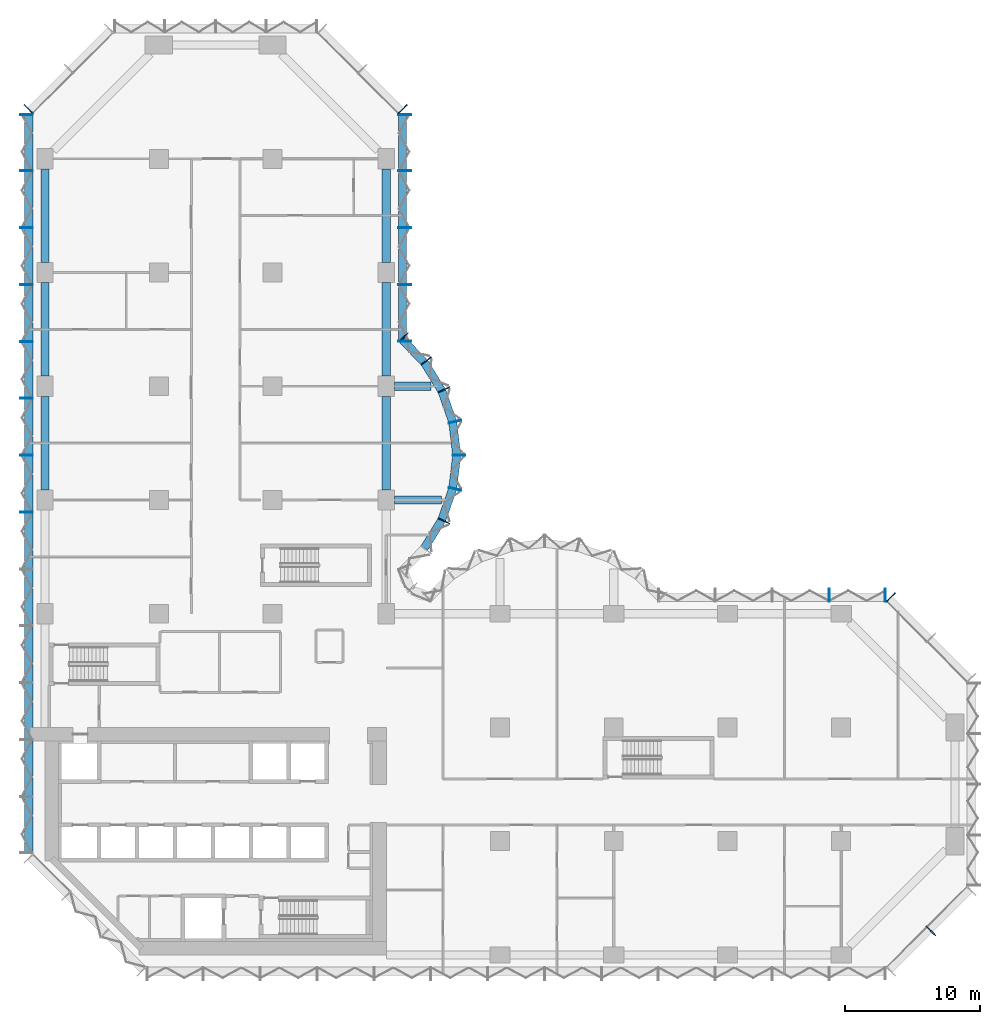
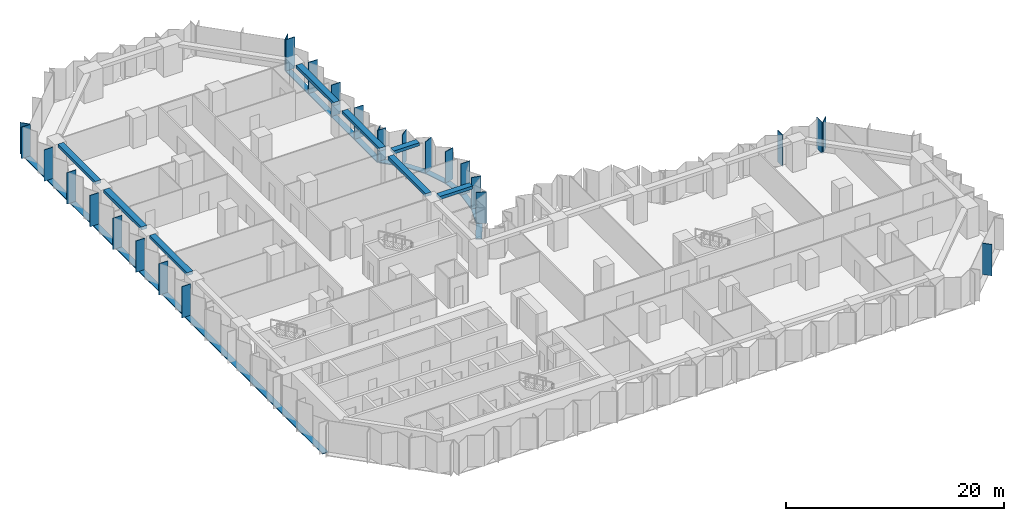
# One storey, part 3 of 15: 35 members, 8 beams, 8 elements without a shape of their own.
"""IFC4 building model written with IfcOpenShell, lengths in metres."""

from ifc_helpers import new_model, si_unit, direction, frame, origin, origin_2d, place, context, subcontext, project, spatial, rectangle, extrude, material, material_profile, profile_set, type_object, element, aggregate, save


model = new_model("IFC4")

# Units and contexts
model_context = context("Model", 3, precision=1e-05, world=origin(), true_north=direction((0.0, 1.0)))
body_context = subcontext(model_context, "Body", "Model", "MODEL_VIEW")
ifc_project = project(units=[si_unit("LENGTHUNIT", "METRE"), si_unit("AREAUNIT", "SQUARE_METRE"), si_unit("VOLUMEUNIT", "CUBIC_METRE"), si_unit("PLANEANGLEUNIT", "RADIAN"), si_unit("MASSUNIT", "GRAM", prefix="KILO")], contexts=[model_context])

# Site, building, storey
site_placement = place(None, origin())
site = spatial("IfcSite", under=ifc_project, at=site_placement, CompositionType="ELEMENT")
building_placement = place(site_placement, origin())
building = spatial("IfcBuilding", under=site, at=building_placement, Name="Brevane Broadcast Tower", CompositionType="ELEMENT")
storey_placement = place(building_placement, frame((0.0, 0.0, 50.89990234375)))
storey = spatial("IfcBuildingStorey", under=building, at=storey_placement, Name="L10", CompositionType="ELEMENT", Elevation=50.89990234375)

# Curtain wall, member
ifc_material_1 = material(Name="Aluminium 6063-T6 bronze anodised", Category="aluminium")
curtain_wall_type = type_object("IfcCurtainWallType", Name="CW-1 curtain wall", PredefinedType="NOTDEFINED", material=ifc_material_1)
curtain_wall_1_placement = place(storey_placement, origin())
curtain_wall_1 = element("IfcCurtainWall", 1, at=curtain_wall_1_placement, inside=storey, type_object=curtain_wall_type, Name="CW-1 typical tilted unit L10 south-east chamfer", PredefinedType="NOTDEFINED")
ifc_material_profile_1 = material_profile(ifc_material_1, rectangle(XDim=0.949951171875, YDim=0.070068359375, at=origin_2d()), Name="RECT 70x950")
ifc_profile_set_1 = profile_set([ifc_material_profile_1], Name="Aluminium 6063-T6 bronze anodised")
member_type_1 = type_object("IfcMemberType", Name="CW-1 mullion 70x950", PredefinedType="MULLION", material=ifc_profile_set_1)
member_1_placement = place(storey_placement, frame((65.435791015625, 1.76416015625, -0.14990234375), z_axis=(0.0, 0.0, 1.0), x_axis=(-0.707106781187, 0.707106781187, 0.0)))
member_1 = element("IfcMember", 2, at=member_1_placement, type_object=member_type_1, Name="CW-1 mullion", PredefinedType="MULLION", context=body_context, shape_type="SweptSolid", body=[
    extrude(rectangle(XDim=0.949951171875, YDim=0.070068359375, at=origin_2d()), origin(), (0.0, 0.0, 1.0), 3.5),
])
aggregate(curtain_wall_1, [member_1])

curtain_wall_2_placement = place(storey_placement, origin())
curtain_wall_2 = element("IfcCurtainWall", 3, at=curtain_wall_2_placement, inside=storey, type_object=curtain_wall_type, Name="CW-1 typical tilted unit L10 north-east chamfer", PredefinedType="NOTDEFINED")
member_2_placement = place(storey_placement, frame((62.460693359375, 26.4111328125, -0.14990234375), z_axis=(0.0, 0.0, 1.0), x_axis=(-0.707106781187, -0.707106781187, 0.0)))
member_2 = element("IfcMember", 4, at=member_2_placement, type_object=member_type_1, Name="CW-1 mullion", PredefinedType="MULLION", context=body_context, shape_type="SweptSolid", body=[
    extrude(rectangle(XDim=0.949951171875, YDim=0.070068359375, at=origin_2d()), origin(), (0.0, 0.0, 1.0), 3.5),
])
aggregate(curtain_wall_2, [member_2])

# Curtain wall, members
curtain_wall_3_placement = place(storey_placement, origin())
curtain_wall_3 = element("IfcCurtainWall", 5, at=curtain_wall_3_placement, inside=storey, type_object=curtain_wall_type, Name="CW-1 typical tilted unit L10 east arm north face", PredefinedType="NOTDEFINED")
member_3_placement = place(storey_placement, frame((62.06494140625, 26.574951171875, -0.14990234375), z_axis=(0.0, 0.0, 1.0), x_axis=(0.0, -1.0, 0.0)))
member_3 = element("IfcMember", 6, at=member_3_placement, type_object=member_type_1, Name="CW-1 mullion", PredefinedType="MULLION", context=body_context, shape_type="SweptSolid", body=[
    extrude(rectangle(XDim=0.949951171875, YDim=0.070068359375, at=origin_2d()), origin(), (0.0, 0.0, 1.0), 3.5),
])
member_4_placement = place(storey_placement, frame((57.89990234375, 26.574951171875, -0.14990234375), z_axis=(0.0, 0.0, 1.0), x_axis=(0.0, -1.0, 0.0)))
member_4 = element("IfcMember", 7, at=member_4_placement, type_object=member_type_1, Name="CW-1 mullion", PredefinedType="MULLION", context=body_context, shape_type="SweptSolid", body=[
    extrude(rectangle(XDim=0.949951171875, YDim=0.070068359375, at=origin_2d()), origin(), (0.0, 0.0, 1.0), 3.5),
])
aggregate(curtain_wall_3, [member_3, member_4])

curtain_wall_4_placement = place(storey_placement, origin())
curtain_wall_4 = element("IfcCurtainWall", 8, at=curtain_wall_4_placement, inside=storey, type_object=curtain_wall_type, Name="CW-1 typical tilted unit L10 north bow", PredefinedType="NOTDEFINED")
member_5_placement = place(storey_placement, frame((29.4580078125, 32.05322265625, -0.14990234375), z_axis=(0.0, 0.0, 1.0), x_axis=(-0.902860508933, 0.429933601163, 0.0)))
member_5 = element("IfcMember", 9, at=member_5_placement, type_object=member_type_1, Name="CW-1 mullion", PredefinedType="MULLION", context=body_context, shape_type="SweptSolid", body=[
    extrude(rectangle(XDim=0.949951171875, YDim=0.070068359375, at=origin_2d()), origin(), (0.0, 0.0, 1.0), 3.5),
])
member_6_placement = place(storey_placement, frame((30.28076171875, 34.411865234375, -0.14990234375), z_axis=(0.0, 0.0, 1.0), x_axis=(-0.974403430594, 0.224806482215, 0.0)))
member_6 = element("IfcMember", 10, at=member_6_placement, type_object=member_type_1, Name="CW-1 mullion", PredefinedType="MULLION", context=body_context, shape_type="SweptSolid", body=[
    extrude(rectangle(XDim=0.949951171875, YDim=0.070068359375, at=origin_2d()), origin(), (0.0, 0.0, 1.0), 3.5),
])
member_7_placement = place(storey_placement, frame((30.574951171875, 36.89990234375, -0.14990234375), z_axis=(0.0, 0.0, 1.0), x_axis=(-1.0, 0.0, 0.0)))
member_7 = element("IfcMember", 11, at=member_7_placement, type_object=member_type_1, Name="CW-1 mullion", PredefinedType="MULLION", context=body_context, shape_type="SweptSolid", body=[
    extrude(rectangle(XDim=0.949951171875, YDim=0.070068359375, at=origin_2d()), origin(), (0.0, 0.0, 1.0), 3.5),
])
member_8_placement = place(storey_placement, frame((30.28076171875, 39.38818359375, -0.14990234375), z_axis=(0.0, 0.0, 1.0), x_axis=(-0.974403430594, -0.224806482215, 0.0)))
member_8 = element("IfcMember", 12, at=member_8_placement, type_object=member_type_1, Name="CW-1 mullion", PredefinedType="MULLION", context=body_context, shape_type="SweptSolid", body=[
    extrude(rectangle(XDim=0.949951171875, YDim=0.070068359375, at=origin_2d()), origin(), (0.0, 0.0, 1.0), 3.5),
])
member_9_placement = place(storey_placement, frame((29.4580078125, 41.746826171875, -0.14990234375), z_axis=(0.0, 0.0, 1.0), x_axis=(-0.902860508933, -0.429933601163, 0.0)))
member_9 = element("IfcMember", 13, at=member_9_placement, type_object=member_type_1, Name="CW-1 mullion", PredefinedType="MULLION", context=body_context, shape_type="SweptSolid", body=[
    extrude(rectangle(XDim=0.949951171875, YDim=0.070068359375, at=origin_2d()), origin(), (0.0, 0.0, 1.0), 3.5),
])
member_10_placement = place(storey_placement, frame((28.1455078125, 43.8720703125, -0.14990234375), z_axis=(0.0, 0.0, 1.0), x_axis=(-0.788706642853, -0.614769738617, 0.0)))
member_10 = element("IfcMember", 14, at=member_10_placement, type_object=member_type_1, Name="CW-1 mullion", PredefinedType="MULLION", context=body_context, shape_type="SweptSolid", body=[
    extrude(rectangle(XDim=0.949951171875, YDim=0.070068359375, at=origin_2d()), origin(), (0.0, 0.0, 1.0), 3.5),
])
member_11_placement = place(storey_placement, frame((26.465087890625, 45.60595703125, -0.14990234375), z_axis=(0.0, 0.0, 1.0), x_axis=(-0.717253872699, -0.696811941702, 0.0)))
member_11 = element("IfcMember", 15, at=member_11_placement, type_object=member_type_1, Name="CW-1 mullion", PredefinedType="MULLION", context=body_context, shape_type="SweptSolid", body=[
    extrude(rectangle(XDim=0.949951171875, YDim=0.070068359375, at=origin_2d()), origin(), (0.0, 0.0, 1.0), 3.5),
])

curtain_wall_5_placement = place(storey_placement, origin())
curtain_wall_5 = element("IfcCurtainWall", 16, at=curtain_wall_5_placement, inside=storey, type_object=curtain_wall_type, Name="CW-1 typical tilted unit L10 north arm east face", PredefinedType="NOTDEFINED")
member_12_placement = place(storey_placement, frame((26.574951171875, 45.3349609375, -0.14990234375), z_axis=(0.0, 0.0, 1.0), x_axis=(-1.0, 0.0, 0.0)))
member_12 = element("IfcMember", 17, at=member_12_placement, type_object=member_type_1, Name="CW-1 mullion", PredefinedType="MULLION", context=body_context, shape_type="SweptSolid", body=[
    extrude(rectangle(XDim=0.949951171875, YDim=0.070068359375, at=origin_2d()), origin(), (0.0, 0.0, 1.0), 3.5),
])
member_13_placement = place(storey_placement, frame((26.574951171875, 49.5, -0.14990234375), z_axis=(0.0, 0.0, 1.0), x_axis=(-1.0, 0.0, 0.0)))
member_13 = element("IfcMember", 18, at=member_13_placement, type_object=member_type_1, Name="CW-1 mullion", PredefinedType="MULLION", context=body_context, shape_type="SweptSolid", body=[
    extrude(rectangle(XDim=0.949951171875, YDim=0.070068359375, at=origin_2d()), origin(), (0.0, 0.0, 1.0), 3.5),
])
member_14_placement = place(storey_placement, frame((26.574951171875, 53.699951171875, -0.14990234375), z_axis=(0.0, 0.0, 1.0), x_axis=(-1.0, 0.0, 0.0)))
member_14 = element("IfcMember", 19, at=member_14_placement, type_object=member_type_1, Name="CW-1 mullion", PredefinedType="MULLION", context=body_context, shape_type="SweptSolid", body=[
    extrude(rectangle(XDim=0.949951171875, YDim=0.070068359375, at=origin_2d()), origin(), (0.0, 0.0, 1.0), 3.5),
])
member_15_placement = place(storey_placement, frame((26.574951171875, 57.89990234375, -0.14990234375), z_axis=(0.0, 0.0, 1.0), x_axis=(-1.0, 0.0, 0.0)))
member_15 = element("IfcMember", 20, at=member_15_placement, type_object=member_type_1, Name="CW-1 mullion", PredefinedType="MULLION", context=body_context, shape_type="SweptSolid", body=[
    extrude(rectangle(XDim=0.949951171875, YDim=0.070068359375, at=origin_2d()), origin(), (0.0, 0.0, 1.0), 3.5),
])
member_16_placement = place(storey_placement, frame((26.574951171875, 62.06494140625, -0.14990234375), z_axis=(0.0, 0.0, 1.0), x_axis=(-1.0, 0.0, 0.0)))
member_16 = element("IfcMember", 21, at=member_16_placement, type_object=member_type_1, Name="CW-1 mullion", PredefinedType="MULLION", context=body_context, shape_type="SweptSolid", body=[
    extrude(rectangle(XDim=0.949951171875, YDim=0.070068359375, at=origin_2d()), origin(), (0.0, 0.0, 1.0), 3.5),
])

# Curtain wall, member
curtain_wall_6_placement = place(storey_placement, origin())
curtain_wall_6 = element("IfcCurtainWall", 22, at=curtain_wall_6_placement, inside=storey, type_object=curtain_wall_type, Name="CW-1 typical tilted unit L10 north arm north-east chamfer", PredefinedType="NOTDEFINED")
member_17_placement = place(storey_placement, frame((26.4111328125, 62.460693359375, -0.14990234375), z_axis=(0.0, 0.0, 1.0), x_axis=(-0.707106781187, -0.707106781187, 0.0)))
member_17 = element("IfcMember", 23, at=member_17_placement, type_object=member_type_1, Name="CW-1 mullion", PredefinedType="MULLION", context=body_context, shape_type="SweptSolid", body=[
    extrude(rectangle(XDim=0.949951171875, YDim=0.070068359375, at=origin_2d()), origin(), (0.0, 0.0, 1.0), 3.5),
])
aggregate(curtain_wall_6, [member_17])

curtain_wall_7_placement = place(storey_placement, origin())
curtain_wall_7 = element("IfcCurtainWall", 24, at=curtain_wall_7_placement, inside=storey, type_object=curtain_wall_type, Name="CW-1 typical tilted unit L10 north-west chamfer", PredefinedType="NOTDEFINED")
member_18_placement = place(storey_placement, frame((-1.211181640625, 62.460693359375, -0.14990234375), z_axis=(0.0, 0.0, 1.0), x_axis=(0.707106781187, -0.707106781187, 0.0)))
member_18 = element("IfcMember", 25, at=member_18_placement, type_object=member_type_1, Name="CW-1 mullion", PredefinedType="MULLION", context=body_context, shape_type="SweptSolid", body=[
    extrude(rectangle(XDim=0.949951171875, YDim=0.070068359375, at=origin_2d()), origin(), (0.0, 0.0, 1.0), 3.5),
])
aggregate(curtain_wall_7, [member_18])

# Curtain wall, members
curtain_wall_8_placement = place(storey_placement, origin())
curtain_wall_8 = element("IfcCurtainWall", 26, at=curtain_wall_8_placement, inside=storey, type_object=curtain_wall_type, Name="CW-1 typical tilted unit L10 west face", PredefinedType="NOTDEFINED")
member_19_placement = place(storey_placement, frame((-1.375, 62.06494140625, -0.14990234375), z_axis=(0.0, 0.0, 1.0), x_axis=(1.0, 0.0, 0.0)))
member_19 = element("IfcMember", 27, at=member_19_placement, type_object=member_type_1, Name="CW-1 mullion", PredefinedType="MULLION", context=body_context, shape_type="SweptSolid", body=[
    extrude(rectangle(XDim=0.949951171875, YDim=0.070068359375, at=origin_2d()), origin(), (0.0, 0.0, 1.0), 3.5),
])
member_20_placement = place(storey_placement, frame((-1.375, 57.89990234375, -0.14990234375), z_axis=(0.0, 0.0, 1.0), x_axis=(1.0, 0.0, 0.0)))
member_20 = element("IfcMember", 28, at=member_20_placement, type_object=member_type_1, Name="CW-1 mullion", PredefinedType="MULLION", context=body_context, shape_type="SweptSolid", body=[
    extrude(rectangle(XDim=0.949951171875, YDim=0.070068359375, at=origin_2d()), origin(), (0.0, 0.0, 1.0), 3.5),
])
member_21_placement = place(storey_placement, frame((-1.375, 53.699951171875, -0.14990234375), z_axis=(0.0, 0.0, 1.0), x_axis=(1.0, 0.0, 0.0)))
member_21 = element("IfcMember", 29, at=member_21_placement, type_object=member_type_1, Name="CW-1 mullion", PredefinedType="MULLION", context=body_context, shape_type="SweptSolid", body=[
    extrude(rectangle(XDim=0.949951171875, YDim=0.070068359375, at=origin_2d()), origin(), (0.0, 0.0, 1.0), 3.5),
])
member_22_placement = place(storey_placement, frame((-1.375, 49.5, -0.14990234375), z_axis=(0.0, 0.0, 1.0), x_axis=(1.0, 0.0, 0.0)))
member_22 = element("IfcMember", 30, at=member_22_placement, type_object=member_type_1, Name="CW-1 mullion", PredefinedType="MULLION", context=body_context, shape_type="SweptSolid", body=[
    extrude(rectangle(XDim=0.949951171875, YDim=0.070068359375, at=origin_2d()), origin(), (0.0, 0.0, 1.0), 3.5),
])
member_23_placement = place(storey_placement, frame((-1.375, 45.300048828125, -0.14990234375), z_axis=(0.0, 0.0, 1.0), x_axis=(1.0, 0.0, 0.0)))
member_23 = element("IfcMember", 31, at=member_23_placement, type_object=member_type_1, Name="CW-1 mullion", PredefinedType="MULLION", context=body_context, shape_type="SweptSolid", body=[
    extrude(rectangle(XDim=0.949951171875, YDim=0.070068359375, at=origin_2d()), origin(), (0.0, 0.0, 1.0), 3.5),
])
member_24_placement = place(storey_placement, frame((-1.375, 41.10009765625, -0.14990234375), z_axis=(0.0, 0.0, 1.0), x_axis=(1.0, 0.0, 0.0)))
member_24 = element("IfcMember", 32, at=member_24_placement, type_object=member_type_1, Name="CW-1 mullion", PredefinedType="MULLION", context=body_context, shape_type="SweptSolid", body=[
    extrude(rectangle(XDim=0.949951171875, YDim=0.070068359375, at=origin_2d()), origin(), (0.0, 0.0, 1.0), 3.5),
])
member_25_placement = place(storey_placement, frame((-1.375, 36.89990234375, -0.14990234375), z_axis=(0.0, 0.0, 1.0), x_axis=(1.0, 0.0, 0.0)))
member_25 = element("IfcMember", 33, at=member_25_placement, type_object=member_type_1, Name="CW-1 mullion", PredefinedType="MULLION", context=body_context, shape_type="SweptSolid", body=[
    extrude(rectangle(XDim=0.949951171875, YDim=0.070068359375, at=origin_2d()), origin(), (0.0, 0.0, 1.0), 3.5),
])
member_26_placement = place(storey_placement, frame((-1.375, 32.699951171875, -0.14990234375), z_axis=(0.0, 0.0, 1.0), x_axis=(1.0, 0.0, 0.0)))
member_26 = element("IfcMember", 34, at=member_26_placement, type_object=member_type_1, Name="CW-1 mullion", PredefinedType="MULLION", context=body_context, shape_type="SweptSolid", body=[
    extrude(rectangle(XDim=0.949951171875, YDim=0.070068359375, at=origin_2d()), origin(), (0.0, 0.0, 1.0), 3.5),
])

# Member
ifc_material_profile_2 = material_profile(ifc_material_1, rectangle(XDim=0.60009765625, YDim=0.10009765625, at=origin_2d()), Name="RECT 100x600")
ifc_profile_set_2 = profile_set([ifc_material_profile_2], Name="Aluminium 6063-T6 bronze anodised")
member_type_2 = type_object("IfcMemberType", Name="CW-1 transom 100x600", PredefinedType="USERDEFINED", material=ifc_profile_set_2)
member_27_placement = place(storey_placement, frame((28.023193359375, 30.0576171875, -0.199951171875), z_axis=(0.525427766759, 0.850838211365, 0.0), x_axis=(-0.850838211365, 0.525427766759, 0.0)))
member_27 = element("IfcMember", 35, at=member_27_placement, type_object=member_type_2, Name="CW-1 transom", ObjectType="TRANSOM", PredefinedType="USERDEFINED", context=body_context, shape_type="SweptSolid", body=[
    extrude(rectangle(XDim=0.60009765625, YDim=0.10009765625, at=origin_2d()), origin(), (0.0, 0.0, 1.0), 2.394775390625),
])

member_28_placement = place(storey_placement, frame((29.314208984375, 32.163818359375, -0.199951171875), z_axis=(0.329378497041, 0.944197969542, 0.0), x_axis=(-0.944197969542, 0.329378497041, 0.0)))
member_28 = element("IfcMember", 36, at=member_28_placement, type_object=member_type_2, Name="CW-1 transom", ObjectType="TRANSOM", PredefinedType="USERDEFINED", context=body_context, shape_type="SweptSolid", body=[
    extrude(rectangle(XDim=0.60009765625, YDim=0.10009765625, at=origin_2d()), origin(), (0.0, 0.0, 1.0), 2.394775390625),
])

member_29_placement = place(storey_placement, frame((30.117431640625, 34.499755859375, -0.199951171875), z_axis=(0.117603307202, 0.993060653805, 0.0), x_axis=(-0.993060653805, 0.117603307202, 0.0)))
member_29 = element("IfcMember", 37, at=member_29_placement, type_object=member_type_2, Name="CW-1 transom", ObjectType="TRANSOM", PredefinedType="USERDEFINED", context=body_context, shape_type="SweptSolid", body=[
    extrude(rectangle(XDim=0.60009765625, YDim=0.10009765625, at=origin_2d()), origin(), (0.0, 0.0, 1.0), 2.397705078125),
])

member_30_placement = place(storey_placement, frame((30.3994140625, 36.9189453125, -0.199951171875), z_axis=(-0.117591417, 0.993062061831, 0.0), x_axis=(-0.993062061831, -0.117591417, 0.0)))
member_30 = element("IfcMember", 38, at=member_30_placement, type_object=member_type_2, Name="CW-1 transom", ObjectType="TRANSOM", PredefinedType="USERDEFINED", context=body_context, shape_type="SweptSolid", body=[
    extrude(rectangle(XDim=0.60009765625, YDim=0.10009765625, at=origin_2d()), origin(), (0.0, 0.0, 1.0), 2.39794921875),
])

member_31_placement = place(storey_placement, frame((30.10302734375, 39.375, -0.199951171875), z_axis=(-0.329378497041, 0.944197969542, 0.0), x_axis=(-0.944197969542, -0.329378497041, 0.0)))
member_31 = element("IfcMember", 39, at=member_31_placement, type_object=member_type_2, Name="CW-1 transom", ObjectType="TRANSOM", PredefinedType="USERDEFINED", context=body_context, shape_type="SweptSolid", body=[
    extrude(rectangle(XDim=0.60009765625, YDim=0.10009765625, at=origin_2d()), origin(), (0.0, 0.0, 1.0), 2.394775390625),
])

member_32_placement = place(storey_placement, frame((29.281494140625, 41.704833984375, -0.199951171875), z_axis=(-0.525473345162, 0.850810063131, 0.0), x_axis=(-0.850810063131, -0.525473345162, 0.0)))
member_32 = element("IfcMember", 40, at=member_32_placement, type_object=member_type_2, Name="CW-1 transom", ObjectType="TRANSOM", PredefinedType="USERDEFINED", context=body_context, shape_type="SweptSolid", body=[
    extrude(rectangle(XDim=0.60009765625, YDim=0.10009765625, at=origin_2d()), origin(), (0.0, 0.0, 1.0), 2.39453125),
])

member_33_placement = place(storey_placement, frame((27.974365234375, 43.800537109375, -0.199951171875), z_axis=(-0.696823999134, 0.71724215871, 0.0), x_axis=(-0.71724215871, -0.696823999134, 0.0)))
member_33 = element("IfcMember", 41, at=member_33_placement, type_object=member_type_2, Name="CW-1 transom", ObjectType="TRANSOM", PredefinedType="USERDEFINED", context=body_context, shape_type="SweptSolid", body=[
    extrude(rectangle(XDim=0.60009765625, YDim=0.10009765625, at=origin_2d()), origin(), (0.0, 0.0, 1.0), 2.247802734375),
])

aggregate(curtain_wall_4, [member_5, member_6, member_7, member_8, member_9, member_10, member_11, member_27, member_28, member_29, member_30, member_31, member_32, member_33])

member_34_placement = place(storey_placement, frame((26.39990234375, 45.300048828125, -0.199951171875), z_axis=(0.0, 1.0, 0.0), x_axis=(-1.0, 0.0, 0.0)))
member_34 = element("IfcMember", 42, at=member_34_placement, type_object=member_type_2, Name="CW-1 transom", ObjectType="TRANSOM", PredefinedType="USERDEFINED", context=body_context, shape_type="SweptSolid", body=[
    extrude(rectangle(XDim=0.60009765625, YDim=0.10009765625, at=origin_2d()), origin(), (0.0, 0.0, 1.0), 16.800048828125),
])

aggregate(curtain_wall_5, [member_12, member_13, member_14, member_15, member_16, member_34])

member_35_placement = place(storey_placement, frame((-1.199951171875, 62.10009765625, -0.199951171875), z_axis=(0.0, -1.0, 0.0), x_axis=(1.0, 0.0, 0.0)))
member_35 = element("IfcMember", 43, at=member_35_placement, type_object=member_type_2, Name="CW-1 transom", ObjectType="TRANSOM", PredefinedType="USERDEFINED", context=body_context, shape_type="SweptSolid", body=[
    extrude(rectangle(XDim=0.60009765625, YDim=0.10009765625, at=origin_2d()), origin(), (0.0, 0.0, 1.0), 54.60009765625),
])

aggregate(curtain_wall_8, [member_19, member_20, member_21, member_22, member_23, member_24, member_25, member_26, member_35])

# Beams
ifc_material_2 = material(Name="Concrete C40/50", Category="concrete")
ifc_material_profile_3 = material_profile(ifc_material_2, rectangle(XDim=0.60009765625, YDim=0.35009765625, at=origin_2d()), Name="RC 600x350")
ifc_profile_set_3 = profile_set([ifc_material_profile_3], Name="Concrete C40/50")
beam_type_1 = type_object("IfcBeamType", Name="RC BRACKET BEAM 600x350 C40/50", PredefinedType="BEAM", material=ifc_profile_set_3)
beam_1_placement = place(storey_placement, frame((25.800048828125, 33.60009765625, 3.175048828125), z_axis=(1.0, 0.0, 0.0), x_axis=(0.0, 1.0, 0.0)))
element("IfcBeam", 44, at=beam_1_placement, inside=storey, type_object=beam_type_1, Name="EB2 L10-1", PredefinedType="BEAM", context=body_context, shape_type="SweptSolid", body=[
    extrude(rectangle(XDim=0.60009765625, YDim=0.35009765625, at=origin_2d()), origin(), (0.0, 0.0, 1.0), 3.4619140625),
])
beam_2_placement = place(storey_placement, frame((25.800048828125, 42.0, 3.175048828125), z_axis=(1.0, 0.0, 0.0), x_axis=(0.0, 1.0, 0.0)))
element("IfcBeam", 45, at=beam_2_placement, inside=storey, type_object=beam_type_1, Name="EB2 L10-2", PredefinedType="BEAM", context=body_context, shape_type="SweptSolid", body=[
    extrude(rectangle(XDim=0.60009765625, YDim=0.35009765625, at=origin_2d()), origin(), (0.0, 0.0, 1.0), 2.71142578125),
])
ifc_material_profile_4 = material_profile(ifc_material_2, rectangle(XDim=0.60009765625, YDim=0.35009765625, at=origin_2d()), Name="RC 600x350")
ifc_profile_set_4 = profile_set([ifc_material_profile_4], Name="Concrete C40/50")
beam_type_2 = type_object("IfcBeamType", Name="RC SPANDREL BEAM 600x350 C40/50", PredefinedType="SPANDREL", material=ifc_profile_set_4)
for number, where, z_axis, x_axis, name in (
    (46, (25.199951171875, 34.35009765625, 3.175048828125), (0.0, 1.0, 0.0), (-1.0, 0.0, 0.0), "EB1 L10-13"),
    (47, (25.199951171875, 42.75, 3.175048828125), (0.0, 1.0, 0.0), (-1.0, 0.0, 0.0), "EB1 L10-14"),
):
    element("IfcBeam", number, at=place(storey_placement, frame(where, z_axis=z_axis, x_axis=x_axis)), inside=storey, type_object=beam_type_2, Name=name, PredefinedType="SPANDREL", context=body_context, shape_type="SweptSolid", body=[
        extrude(rectangle(XDim=0.60009765625, YDim=0.35009765625, at=origin_2d()), origin(), (0.0, 0.0, 1.0), 6.89990234375),
    ])
for number, where, z_axis, x_axis, name in (
    (48, (25.199951171875, 51.14990234375, 3.175048828125), (0.0, 1.0, 0.0), (-1.0, 0.0, 0.0), "EB1 L10-15"),
    (49, (0.0, 58.050048828125, 3.175048828125), (0.0, -1.0, 0.0), (1.0, 0.0, 0.0), "EB1 L10-19"),
):
    element("IfcBeam", number, at=place(storey_placement, frame(where, z_axis=z_axis, x_axis=x_axis)), inside=storey, type_object=beam_type_2, Name=name, PredefinedType="SPANDREL", context=body_context, shape_type="SweptSolid", body=[
        extrude(rectangle(XDim=0.60009765625, YDim=0.35009765625, at=origin_2d()), origin(), (0.0, 0.0, 1.0), 6.900146484375),
    ])
for number, where, z_axis, x_axis, name in (
    (50, (0.0, 49.64990234375, 3.175048828125), (0.0, -1.0, 0.0), (1.0, 0.0, 0.0), "EB1 L10-20"),
    (51, (0.0, 41.25, 3.175048828125), (0.0, -1.0, 0.0), (1.0, 0.0, 0.0), "EB1 L10-21"),
):
    element("IfcBeam", number, at=place(storey_placement, frame(where, z_axis=z_axis, x_axis=x_axis)), inside=storey, type_object=beam_type_2, Name=name, PredefinedType="SPANDREL", context=body_context, shape_type="SweptSolid", body=[
        extrude(rectangle(XDim=0.60009765625, YDim=0.35009765625, at=origin_2d()), origin(), (0.0, 0.0, 1.0), 6.89990234375),
    ])

save(model, "model.ifc")
